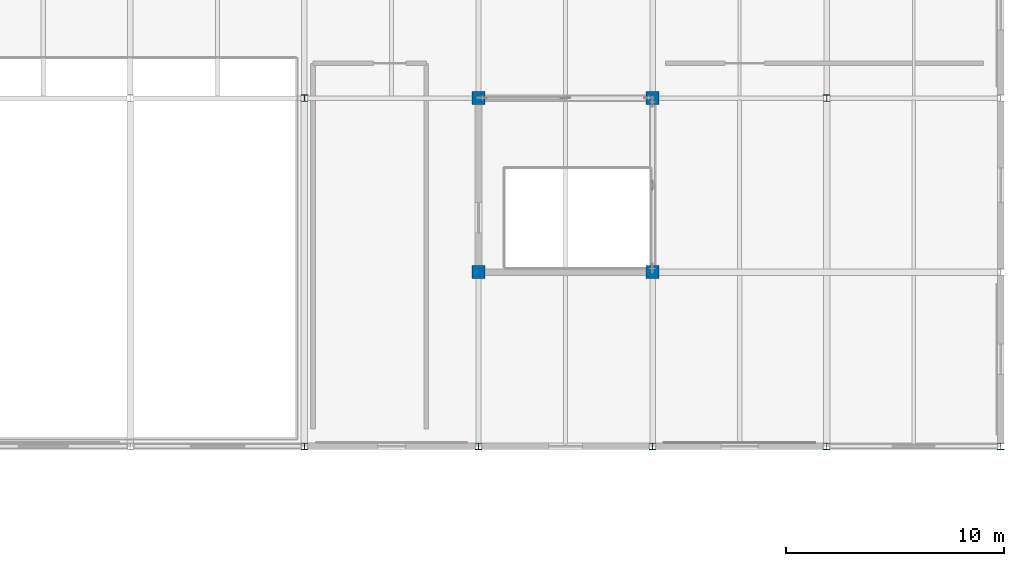
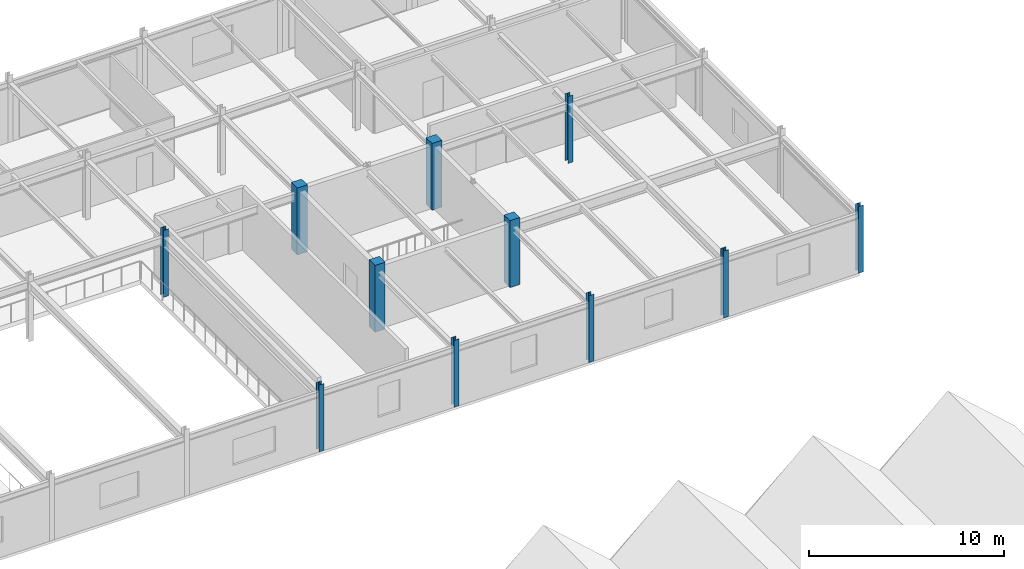
# One storey, part 10 of 88: 11 columns.
"""IFC4 building model written with IfcOpenShell, lengths in metres."""

from ifc_helpers import new_model, si_unit, direction, frame, origin, origin_2d, place, context, subcontext, project, spatial, rectangle, i_section, extrude, material, material_profile, profile_set, type_object, element, save


model = new_model("IFC4")

# Units and contexts
model_context = context("Model", 3, precision=1e-05, world=origin(), true_north=direction((0.0, 1.0)))
body_context = subcontext(model_context, "Body", "Model", "MODEL_VIEW")
ifc_project = project(units=[si_unit("LENGTHUNIT", "METRE"), si_unit("AREAUNIT", "SQUARE_METRE"), si_unit("VOLUMEUNIT", "CUBIC_METRE"), si_unit("PLANEANGLEUNIT", "RADIAN"), si_unit("MASSUNIT", "GRAM", prefix="KILO")], contexts=[model_context])

# Site, building, storey
site_placement = place(None, origin())
site = spatial("IfcSite", under=ifc_project, at=site_placement, CompositionType="ELEMENT")
building_placement = place(site_placement, origin())
building = spatial("IfcBuilding", under=site, at=building_placement, Name="Zhaolan Boulevard Law Courts", CompositionType="ELEMENT")
storey_placement = place(building_placement, frame((0.0, 0.0, 16.199951171875)))
storey = spatial("IfcBuildingStorey", under=building, at=storey_placement, Name="L03", CompositionType="ELEMENT", Elevation=16.199951171875)

# Columns
ifc_material_1 = material(Name="Structural steel Q355B", Category="steel")
ifc_material_profile_1 = material_profile(ifc_material_1, i_section(OverallWidth=0.300048828125, OverallDepth=0.300048828125, WebThickness=0.010009765625, FlangeThickness=0.014892578125, FilletRadius=0.01806640625, at=origin_2d()), Name="HW300x300")
ifc_profile_set_1 = profile_set([ifc_material_profile_1], Name="Structural steel Q355B")
column_type_1 = type_object("IfcColumnType", Name="COL HW300", PredefinedType="COLUMN", material=ifc_profile_set_1)
for number, where, z_axis, x_axis, name in (
    (1, (132.0, 62.0, 0.0), (0.0, 0.0, 1.0), (1.0, 0.0, 0.0), "Column C-17J (L03)"),
    (2, (132.0, 78.0, 0.0), (0.0, 0.0, 1.0), (1.0, 0.0, 0.0), "Column C-17L (L03)"),
    (3, (140.0, 62.0, 0.0), (0.0, 0.0, 1.0), (1.0, 0.0, 0.0), "Column C-18J (L03)"),
    (4, (148.0, 62.0, 0.0), (0.0, 0.0, 1.0), (1.0, 0.0, 0.0), "Column C-19J (L03)"),
    (5, (156.0, 62.0, 0.0), (0.0, 0.0, 1.0), (1.0, 0.0, 0.0), "Column C-20J (L03)"),
    (6, (156.0, 78.0, 0.0), (0.0, 0.0, 1.0), (1.0, 0.0, 0.0), "Column C-20L (L03)"),
    (7, (164.0, 62.0, 0.0), (0.0, 0.0, 1.0), (1.0, 0.0, 0.0), "Column C-21J (L03)"),
):
    element("IfcColumn", number, at=place(storey_placement, frame(where, z_axis=z_axis, x_axis=x_axis)), inside=storey, type_object=column_type_1, Name=name, PredefinedType="COLUMN", context=body_context, shape_type="SweptSolid", body=[
        extrude(i_section(OverallWidth=0.300048828125, OverallDepth=0.300048828125, WebThickness=0.010009765625, FlangeThickness=0.014892578125, FilletRadius=0.01806640625, at=origin_2d()), origin(), (0.0, 0.0, 1.0), 4.199951171875),
    ])
ifc_material_2 = material(Name="Concrete C50", Category="concrete")
ifc_material_profile_2 = material_profile(ifc_material_2, rectangle(XDim=0.60009765625, YDim=0.60009765625, at=origin_2d()), Name="RC600x600")
ifc_profile_set_2 = profile_set([ifc_material_profile_2], Name="Concrete C50")
column_type_2 = type_object("IfcColumnType", Name="COL RC600", PredefinedType="COLUMN", material=ifc_profile_set_2)
for number, where, z_axis, x_axis, name in (
    (8, (140.0, 70.0, 0.0), (0.0, 0.0, 1.0), (1.0, 0.0, 0.0), "Column C-18K (L03)"),
    (9, (140.0, 78.0, 0.0), (0.0, 0.0, 1.0), (1.0, 0.0, 0.0), "Column C-18L (L03)"),
    (10, (148.0, 70.0, 0.0), (0.0, 0.0, 1.0), (1.0, 0.0, 0.0), "Column C-19K (L03)"),
    (11, (148.0, 78.0, 0.0), (0.0, 0.0, 1.0), (1.0, 0.0, 0.0), "Column C-19L (L03)"),
):
    element("IfcColumn", number, at=place(storey_placement, frame(where, z_axis=z_axis, x_axis=x_axis)), inside=storey, type_object=column_type_2, Name=name, PredefinedType="COLUMN", context=body_context, shape_type="SweptSolid", body=[
        extrude(rectangle(XDim=0.60009765625, YDim=0.60009765625, at=origin_2d()), origin(), (0.0, 0.0, 1.0), 4.199951171875),
    ])

save(model, "model.ifc")
